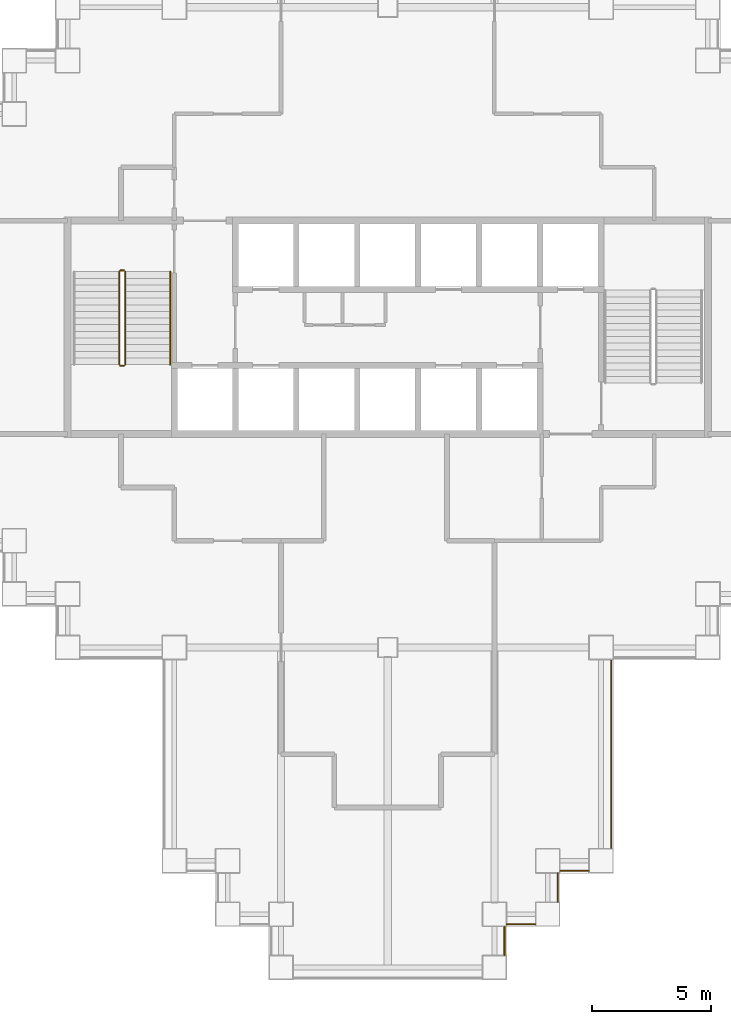
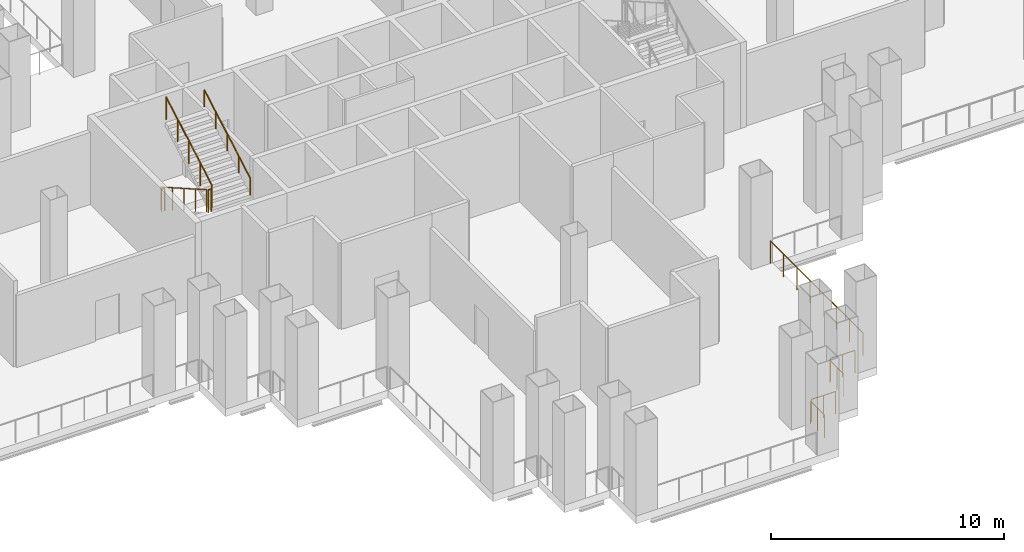
# One storey, part 8 of 10: 10 railings.
"""IFC4 building model written with IfcOpenShell, lengths in metres."""

from ifc_helpers import new_model, si_unit, direction, frame, origin, origin_2d, place, context, subcontext, project, spatial, circle, extrude, material, type_object, element, save


model = new_model("IFC4")

# Units and contexts
model_context = context("Model", 3, precision=1e-05, world=origin(), true_north=direction((0.0, 1.0)))
body_context = subcontext(model_context, "Body", "Model", "MODEL_VIEW")
ifc_project = project(units=[si_unit("LENGTHUNIT", "METRE"), si_unit("AREAUNIT", "SQUARE_METRE"), si_unit("VOLUMEUNIT", "CUBIC_METRE"), si_unit("PLANEANGLEUNIT", "RADIAN"), si_unit("MASSUNIT", "GRAM", prefix="KILO")], contexts=[model_context])

# Site, building, storey
site_placement = place(None, origin())
site = spatial("IfcSite", under=ifc_project, at=site_placement, CompositionType="ELEMENT")
building_placement = place(site_placement, origin())
building = spatial("IfcBuilding", under=site, at=building_placement, Name="Caravel Reach Hotel and Residences", CompositionType="ELEMENT")
storey_placement = place(building_placement, frame((0.0, 0.0, 48.0)))
storey = spatial("IfcBuildingStorey", under=building, at=storey_placement, Name="L10", CompositionType="ELEMENT", Elevation=48.0)

# Railings
ifc_material_1 = material(Name="Stainless steel S30408", Category="steel")
railing_type_1 = type_object("IfcRailingType", Name="G1 Guard 1200 stainless", PredefinedType="GUARDRAIL", material=ifc_material_1)
railing_1_placement = place(storey_placement, frame((36.425048828125, 0.52490234375, 0.0)))
element("IfcRailing", 1, at=railing_1_placement, inside=storey, type_object=railing_type_1, Name="Guard L10 6.1", PredefinedType="GUARDRAIL", context=body_context, shape_type="SweptSolid", body=[
    extrude(circle(Radius=0.02392578125, at=origin_2d()), frame((0.0, 0.0, 1.17578125), z_axis=(0.0, 1.0, 0.0), x_axis=(-1.0, 0.0, 0.0)), (0.0, 0.0, 1.0), 1.2001953125),
    extrude(circle(Radius=0.02099609375, at=origin_2d()), origin(), (0.0, 0.0, 1.0), 1.15185546875),
    extrude(circle(Radius=0.02099609375, at=origin_2d()), frame((0.0, 0.60009765625, 0.0)), (0.0, 0.0, 1.0), 1.15185546875),
    extrude(circle(Radius=0.02099609375, at=origin_2d()), frame((0.0, 1.2001953125, 0.0)), (0.0, 0.0, 1.0), 1.15185546875),
])
railing_2_placement = place(storey_placement, frame((36.52490234375, 1.824951171875, 0.0)))
element("IfcRailing", 2, at=railing_2_placement, inside=storey, type_object=railing_type_1, Name="Guard L10 7.1", PredefinedType="GUARDRAIL", context=body_context, shape_type="SweptSolid", body=[
    extrude(circle(Radius=0.02392578125, at=origin_2d()), frame((0.0, 0.0, 1.17578125), z_axis=(1.0, 0.0, 0.0), x_axis=(0.0, 1.0, 0.0)), (0.0, 0.0, 1.0), 1.2001953125),
    extrude(circle(Radius=0.02099609375, at=origin_2d()), origin(), (0.0, 0.0, 1.0), 1.15185546875),
    extrude(circle(Radius=0.02099609375, at=origin_2d()), frame((0.60009765625, 0.0, 0.0)), (0.0, 0.0, 1.0), 1.15185546875),
    extrude(circle(Radius=0.02099609375, at=origin_2d()), frame((1.2001953125, 0.0, 0.0)), (0.0, 0.0, 1.0), 1.15185546875),
])
railing_3_placement = place(storey_placement, frame((38.675048828125, 2.77490234375, 0.0)))
element("IfcRailing", 3, at=railing_3_placement, inside=storey, type_object=railing_type_1, Name="Guard L10 8.1", PredefinedType="GUARDRAIL", context=body_context, shape_type="SweptSolid", body=[
    extrude(circle(Radius=0.02392578125, at=origin_2d()), frame((0.0, 0.0, 1.17578125), z_axis=(0.0, 1.0, 0.0), x_axis=(-1.0, 0.0, 0.0)), (0.0, 0.0, 1.0), 1.2001953125),
    extrude(circle(Radius=0.02099609375, at=origin_2d()), origin(), (0.0, 0.0, 1.0), 1.15185546875),
    extrude(circle(Radius=0.02099609375, at=origin_2d()), frame((0.0, 0.60009765625, 0.0)), (0.0, 0.0, 1.0), 1.15185546875),
    extrude(circle(Radius=0.02099609375, at=origin_2d()), frame((0.0, 1.2001953125, 0.0)), (0.0, 0.0, 1.0), 1.15185546875),
])
railing_4_placement = place(storey_placement, frame((38.77490234375, 4.074951171875, 0.0)))
element("IfcRailing", 4, at=railing_4_placement, inside=storey, type_object=railing_type_1, Name="Guard L10 9.1", PredefinedType="GUARDRAIL", context=body_context, shape_type="SweptSolid", body=[
    extrude(circle(Radius=0.02392578125, at=origin_2d()), frame((0.0, 0.0, 1.17578125), z_axis=(1.0, 0.0, 0.0), x_axis=(0.0, 1.0, 0.0)), (0.0, 0.0, 1.0), 1.2001953125),
    extrude(circle(Radius=0.02099609375, at=origin_2d()), origin(), (0.0, 0.0, 1.0), 1.15185546875),
    extrude(circle(Radius=0.02099609375, at=origin_2d()), frame((0.60009765625, 0.0, 0.0)), (0.0, 0.0, 1.0), 1.15185546875),
    extrude(circle(Radius=0.02099609375, at=origin_2d()), frame((1.2001953125, 0.0, 0.0)), (0.0, 0.0, 1.0), 1.15185546875),
])
railing_5_placement = place(storey_placement, frame((40.925048828125, 5.02490234375, 0.0)))
element("IfcRailing", 5, at=railing_5_placement, inside=storey, type_object=railing_type_1, Name="Guard L10 10.1", PredefinedType="GUARDRAIL", context=body_context, shape_type="SweptSolid", body=[
    extrude(circle(Radius=0.02392578125, at=origin_2d()), frame((0.0, 0.0, 1.17578125), z_axis=(0.0, 1.0, 0.0), x_axis=(-1.0, 0.0, 0.0)), (0.0, 0.0, 1.0), 7.9501953125),
    extrude(circle(Radius=0.02099609375, at=origin_2d()), origin(), (0.0, 0.0, 1.0), 1.15185546875),
    extrude(circle(Radius=0.02099609375, at=origin_2d()), frame((0.0, 1.1357421875, 0.0)), (0.0, 0.0, 1.0), 1.15185546875),
    extrude(circle(Radius=0.02099609375, at=origin_2d()), frame((0.0, 2.271484375, 0.0)), (0.0, 0.0, 1.0), 1.15185546875),
    extrude(circle(Radius=0.02099609375, at=origin_2d()), frame((0.0, 3.4072265625, 0.0)), (0.0, 0.0, 1.0), 1.15185546875),
    extrude(circle(Radius=0.02099609375, at=origin_2d()), frame((0.0, 4.54296875, 0.0)), (0.0, 0.0, 1.0), 1.15185546875),
    extrude(circle(Radius=0.02099609375, at=origin_2d()), frame((0.0, 5.6787109375, 0.0)), (0.0, 0.0, 1.0), 1.15185546875),
    extrude(circle(Radius=0.02099609375, at=origin_2d()), frame((0.0, 6.814453125, 0.0)), (0.0, 0.0, 1.0), 1.15185546875),
    extrude(circle(Radius=0.02099609375, at=origin_2d()), frame((0.0, 7.9501953125, 0.0)), (0.0, 0.0, 1.0), 1.15185546875),
])
ifc_material_2 = material(Name="Steel balustrade with glass infill", Category="steel")
railing_type_2 = type_object("IfcRailingType", Name="Guard 1200", PredefinedType="GUARDRAIL", material=ifc_material_2)
railing_6_placement = place(storey_placement, frame((20.175048828125, 29.35009765625, 0.159912109375)))
element("IfcRailing", 6, at=railing_6_placement, inside=storey, type_object=railing_type_2, Name="L10 ST-A stair guard 1", PredefinedType="GUARDRAIL", context=body_context, shape_type="SweptSolid", body=[
    extrude(circle(Radius=0.02392578125, at=origin_2d()), frame((0.0, 0.0, 1.17578125), z_axis=(0.0, -0.86825312469, 0.496121468458), x_axis=(1.0, 0.0, 0.0)), (0.0, 0.0, 1.0), 4.514892578125),
    extrude(circle(Radius=0.02099609375, at=origin_2d()), origin(), (0.0, 0.0, 1.0), 1.15185546875),
    extrude(circle(Radius=0.02099609375, at=origin_2d()), frame((0.0, -0.97998046875, 0.56005859375)), (0.0, 0.0, 1.0), 1.15185546875),
    extrude(circle(Radius=0.02099609375, at=origin_2d()), frame((0.0, -1.9599609375, 1.1201171875)), (0.0, 0.0, 1.0), 1.15185546875),
    extrude(circle(Radius=0.02099609375, at=origin_2d()), frame((0.0, -2.940185546875, 1.679931640625)), (0.0, 0.0, 1.0), 1.15185546875),
    extrude(circle(Radius=0.02099609375, at=origin_2d()), frame((0.0, -3.920166015625, 2.239990234375)), (0.0, 0.0, 1.0), 1.15185546875),
])
railing_7_placement = place(storey_placement, frame((20.22509765625, 25.3798828125, 2.39990234375)))
element("IfcRailing", 7, at=railing_7_placement, inside=storey, type_object=railing_type_2, Name="L10 ST-A stair guard 2", PredefinedType="GUARDRAIL", context=body_context, shape_type="SweptSolid", body=[
    extrude(circle(Radius=0.02392578125, at=origin_2d()), frame((0.0, 0.0, 1.17578125), z_axis=(1.0, 0.0, 0.0), x_axis=(0.0, 1.0, 0.0)), (0.0, 0.0, 1.0), 0.14990234375),
    extrude(circle(Radius=0.02099609375, at=origin_2d()), origin(), (0.0, 0.0, 1.0), 1.15185546875),
    extrude(circle(Radius=0.02099609375, at=origin_2d()), frame((0.14990234375, 0.0, 0.0)), (0.0, 0.0, 1.0), 1.15185546875),
])
railing_8_placement = place(storey_placement, frame((20.425048828125, 25.429931640625, 2.56005859375)))
element("IfcRailing", 8, at=railing_8_placement, inside=storey, type_object=railing_type_2, Name="L10 ST-A stair guard 3", PredefinedType="GUARDRAIL", context=body_context, shape_type="SweptSolid", body=[
    extrude(circle(Radius=0.02392578125, at=origin_2d()), frame((0.0, 0.0, 1.17578125), z_axis=(0.0, 0.86825312469, 0.496121468458), x_axis=(-1.0, 0.0, 0.0)), (0.0, 0.0, 1.0), 4.514892578125),
    extrude(circle(Radius=0.02099609375, at=origin_2d()), origin(), (0.0, 0.0, 1.0), 1.15185546875),
    extrude(circle(Radius=0.02099609375, at=origin_2d()), frame((0.0, 0.97998046875, 0.56005859375)), (0.0, 0.0, 1.0), 1.15185546875),
    extrude(circle(Radius=0.02099609375, at=origin_2d()), frame((0.0, 1.9599609375, 1.1201171875)), (0.0, 0.0, 1.0), 1.15185546875),
    extrude(circle(Radius=0.02099609375, at=origin_2d()), frame((0.0, 2.940185546875, 1.679931640625)), (0.0, 0.0, 1.0), 1.15185546875),
    extrude(circle(Radius=0.02099609375, at=origin_2d()), frame((0.0, 3.920166015625, 2.239990234375)), (0.0, 0.0, 1.0), 1.15185546875),
])
railing_9_placement = place(storey_placement, frame((20.22509765625, 29.39990234375, 0.0)))
element("IfcRailing", 9, at=railing_9_placement, inside=storey, type_object=railing_type_2, Name="L10 ST-A stair guard 4", PredefinedType="GUARDRAIL", context=body_context, shape_type="SweptSolid", body=[
    extrude(circle(Radius=0.02392578125, at=origin_2d()), frame((0.0, 0.0, 1.17578125), z_axis=(1.0, 0.0, 0.0), x_axis=(0.0, 1.0, 0.0)), (0.0, 0.0, 1.0), 0.14990234375),
    extrude(circle(Radius=0.02099609375, at=origin_2d()), origin(), (0.0, 0.0, 1.0), 1.15185546875),
    extrude(circle(Radius=0.02099609375, at=origin_2d()), frame((0.14990234375, 0.0, 0.0)), (0.0, 0.0, 1.0), 1.15185546875),
])
ifc_material_3 = material(Name="Stainless steel handrail", Category="steel")
railing_type_3 = type_object("IfcRailingType", Name="Handrail 900", PredefinedType="HANDRAIL", material=ifc_material_3)
railing_10_placement = place(storey_placement, frame((22.324951171875, 25.429931640625, 2.56005859375)))
element("IfcRailing", 10, at=railing_10_placement, inside=storey, type_object=railing_type_3, Name="L10 ST-A stair handrail 2", PredefinedType="HANDRAIL", context=body_context, shape_type="SweptSolid", body=[
    extrude(circle(Radius=0.02392578125, at=origin_2d()), frame((0.0, 0.0, 0.8759765625), z_axis=(0.0, 0.86825312469, 0.496121468458), x_axis=(-1.0, 0.0, 0.0)), (0.0, 0.0, 1.0), 4.514892578125),
    extrude(circle(Radius=0.02099609375, at=origin_2d()), origin(), (0.0, 0.0, 1.0), 0.851806640625),
    extrude(circle(Radius=0.02099609375, at=origin_2d()), frame((0.0, 0.97998046875, 0.56005859375)), (0.0, 0.0, 1.0), 0.851806640625),
    extrude(circle(Radius=0.02099609375, at=origin_2d()), frame((0.0, 1.9599609375, 1.1201171875)), (0.0, 0.0, 1.0), 0.851806640625),
    extrude(circle(Radius=0.02099609375, at=origin_2d()), frame((0.0, 2.940185546875, 1.679931640625)), (0.0, 0.0, 1.0), 0.851806640625),
    extrude(circle(Radius=0.02099609375, at=origin_2d()), frame((0.0, 3.920166015625, 2.239990234375)), (0.0, 0.0, 1.0), 0.851806640625),
])

save(model, "model.ifc")
